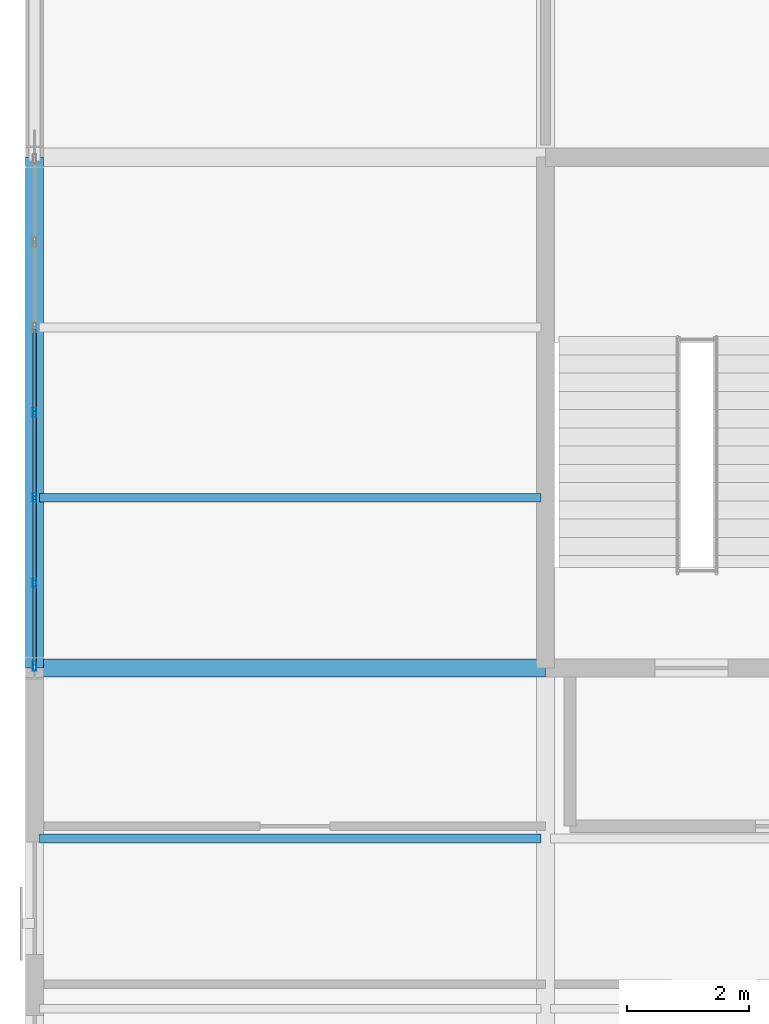
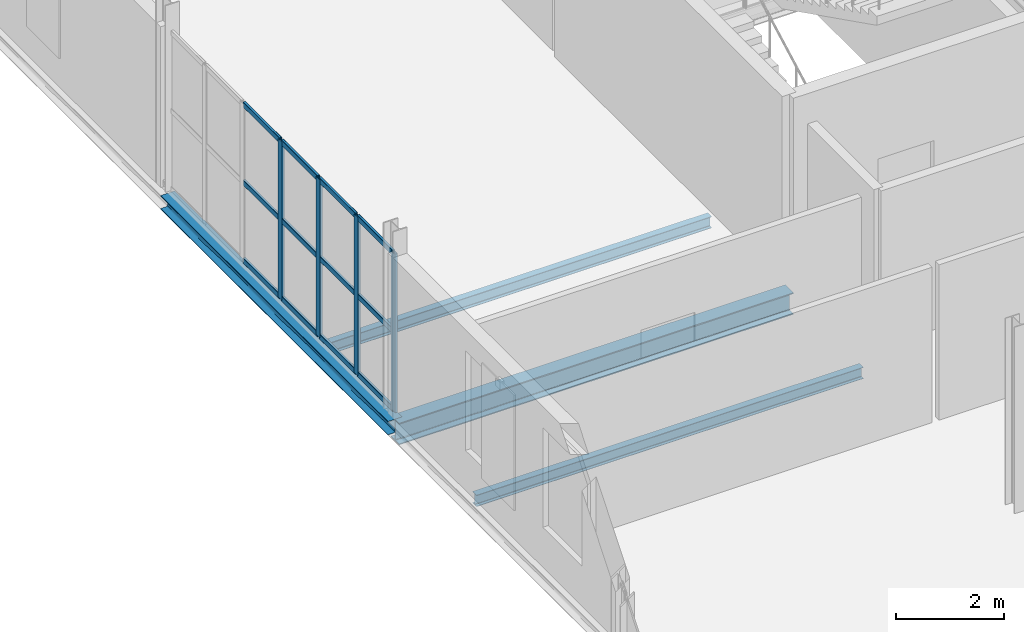
# One storey, part 42 of 163: 16 members, 4 beams, 1 element without a shape of its own.
"""IFC4 building model written with IfcOpenShell, lengths in metres."""

from ifc_helpers import new_model, si_unit, direction, frame, origin, origin_2d, place, context, subcontext, project, spatial, hollow_rectangle, i_section, extrude, material, layer, layer_set, material_profile, profile_set, type_object, element, aggregate, save


model = new_model("IFC4")

# Units and contexts
model_context = context("Model", 3, precision=1e-05, world=origin(), true_north=direction((0.0, 1.0)))
body_context = subcontext(model_context, "Body", "Model", "MODEL_VIEW")
ifc_project = project(units=[si_unit("LENGTHUNIT", "METRE"), si_unit("AREAUNIT", "SQUARE_METRE"), si_unit("VOLUMEUNIT", "CUBIC_METRE"), si_unit("PLANEANGLEUNIT", "RADIAN"), si_unit("MASSUNIT", "GRAM", prefix="KILO")], contexts=[model_context])

# Site, building, storey
site_placement = place(None, origin())
site = spatial("IfcSite", under=ifc_project, at=site_placement, CompositionType="ELEMENT")
building_placement = place(site_placement, origin())
building = spatial("IfcBuilding", under=site, at=building_placement, Name="Qalvenar Corner Mobility Hub", CompositionType="ELEMENT")
storey_placement = place(building_placement, frame((0.0, 0.0, 4.800048828125)))
storey = spatial("IfcBuildingStorey", under=building, at=storey_placement, Name="L01", CompositionType="ELEMENT", Elevation=4.800048828125)

# Beams
ifc_material_1 = material(Name="Steel S355", Category="steel")
ifc_material_profile_1 = material_profile(ifc_material_1, i_section(OverallWidth=0.300048828125, OverallDepth=0.489990234375, WebThickness=0.011962890625, FlangeThickness=0.02294921875, FilletRadius=0.027099609375, at=origin_2d()), Name="HEA500")
ifc_profile_set_1 = profile_set([ifc_material_profile_1], Name="Steel S355")
beam_type_1 = type_object("IfcBeamType", Name="BM-HEA500", PredefinedType="BEAM", material=ifc_profile_set_1)
beam_1_placement = place(storey_placement, frame((0.0, 58.800048828125, -0.425048828125), z_axis=(1.0, 0.0, 0.0), x_axis=(0.0, 1.0, 0.0)))
element("IfcBeam", 1, at=beam_1_placement, inside=storey, type_object=beam_type_1, Name="Primary Steel Girder GX-1160", PredefinedType="BEAM", context=body_context, shape_type="SweptSolid", body=[
    extrude(i_section(OverallWidth=0.300048828125, OverallDepth=0.489990234375, WebThickness=0.011962890625, FlangeThickness=0.02294921875, FilletRadius=0.027099609375, at=origin_2d()), origin(), (0.0, 0.0, 1.0), 8.39990234375),
])
ifc_material_profile_2 = material_profile(ifc_material_1, i_section(OverallWidth=0.14599609375, OverallDepth=0.258056640625, WebThickness=0.006103515625, FlangeThickness=0.009033203125, FilletRadius=0.011962890625, at=origin_2d()), Name="W250x32.7")
ifc_profile_set_2 = profile_set([ifc_material_profile_2], Name="Steel S355")
beam_type_2 = type_object("IfcBeamType", Name="BM-JST250", PredefinedType="JOIST", material=ifc_profile_set_2)
for number, where, z_axis, x_axis, name in (
    (2, (0.077880859375, 56.0, -0.30908203125), (1.0, 0.0, 0.0), (0.0, 1.0, 0.0), "Composite Floor Joist J-1213"),
    (3, (0.077880859375, 61.60009765625, -0.30908203125), (1.0, 0.0, 0.0), (0.0, 1.0, 0.0), "Composite Floor Joist J-1214"),
):
    element("IfcBeam", number, at=place(storey_placement, frame(where, z_axis=z_axis, x_axis=x_axis)), inside=storey, type_object=beam_type_2, Name=name, PredefinedType="JOIST", context=body_context, shape_type="SweptSolid", body=[
        extrude(i_section(OverallWidth=0.14599609375, OverallDepth=0.258056640625, WebThickness=0.006103515625, FlangeThickness=0.009033203125, FilletRadius=0.011962890625, at=origin_2d()), origin(), (0.0, 0.0, 1.0), 8.244140625),
    ])
ifc_material_profile_3 = material_profile(ifc_material_1, i_section(OverallWidth=0.300048828125, OverallDepth=0.31005859375, WebThickness=0.009033203125, FlangeThickness=0.015380859375, FilletRadius=0.027099609375, at=origin_2d()), Name="HEA320")
ifc_profile_set_3 = profile_set([ifc_material_profile_3], Name="Steel S355")
beam_type_3 = type_object("IfcBeamType", Name="BM-SPN320", PredefinedType="SPANDREL", material=ifc_profile_set_3)
beam_2_placement = place(storey_placement, frame((0.0, 58.800048828125, -0.3349609375), z_axis=(0.0, 1.0, 0.0), x_axis=(-1.0, 0.0, 0.0)))
element("IfcBeam", 4, at=beam_2_placement, inside=storey, type_object=beam_type_3, Name="Primary Steel Girder GY-1182", PredefinedType="SPANDREL", context=body_context, shape_type="SweptSolid", body=[
    extrude(i_section(OverallWidth=0.300048828125, OverallDepth=0.31005859375, WebThickness=0.009033203125, FlangeThickness=0.015380859375, FilletRadius=0.027099609375, at=origin_2d()), origin(), (0.0, 0.0, 1.0), 8.39990234375),
])

# Curtain wall, members
ifc_material_2 = material(Name="Anodised Aluminium and Low-E Glazing", Category="aluminium")
ifc_layer = layer(ifc_material_2, 0.14990234375)
ifc_layer_set = layer_set([ifc_layer], Name="Anodised Aluminium and Low-E Glazing")
curtain_wall_type = type_object("IfcCurtainWallType", Name="CW-CYC-84X39", PredefinedType="NOTDEFINED", material=ifc_layer_set)
curtain_wall_placement = place(storey_placement, origin())
curtain_wall = element("IfcCurtainWall", 5, at=curtain_wall_placement, inside=storey, type_object=curtain_wall_type, Name="Glazed Curtain Wall CW-V5-L01-W2", PredefinedType="NOTDEFINED")
ifc_material_3 = material(Name="Anodised Aluminium 6063-T6", Category="aluminium")
ifc_material_profile_4 = material_profile(ifc_material_3, hollow_rectangle(XDim=0.06005859375, YDim=0.14990234375, WallThickness=0.00390625, InnerFilletRadius=0.00390625, OuterFilletRadius=0.008056640625, at=origin_2d()), Name="RHS150x60x4")
ifc_profile_set_4 = profile_set([ifc_material_profile_4], Name="Anodised Aluminium 6063-T6")
member_type_1 = type_object("IfcMemberType", Name="CW-MUL150", PredefinedType="MULLION", material=ifc_profile_set_4)
member_1_placement = place(storey_placement, frame((0.0, 63.0, 0.0), z_axis=(0.0, 0.0, 1.0), x_axis=(1.0, 0.0, 0.0)))
member_1 = element("IfcMember", 6, at=member_1_placement, type_object=member_type_1, Name="CW-08 mullion 4", PredefinedType="MULLION", context=body_context, shape_type="SweptSolid", body=[
    extrude(hollow_rectangle(XDim=0.06005859375, YDim=0.14990234375, WallThickness=0.00390625, InnerFilletRadius=0.00390625, OuterFilletRadius=0.008056640625, at=origin_2d()), origin(), (0.0, 0.0, 1.0), 3.570068359375),
])
member_2_placement = place(storey_placement, frame((0.0, 61.60009765625, 0.0), z_axis=(0.0, 0.0, 1.0), x_axis=(1.0, 0.0, 0.0)))
member_2 = element("IfcMember", 7, at=member_2_placement, type_object=member_type_1, Name="CW-08 mullion 5", PredefinedType="MULLION", context=body_context, shape_type="SweptSolid", body=[
    extrude(hollow_rectangle(XDim=0.06005859375, YDim=0.14990234375, WallThickness=0.00390625, InnerFilletRadius=0.00390625, OuterFilletRadius=0.008056640625, at=origin_2d()), origin(), (0.0, 0.0, 1.0), 3.570068359375),
])
member_3_placement = place(storey_placement, frame((0.0, 60.199951171875, 0.0), z_axis=(0.0, 0.0, 1.0), x_axis=(1.0, 0.0, 0.0)))
member_3 = element("IfcMember", 8, at=member_3_placement, type_object=member_type_1, Name="CW-08 mullion 6", PredefinedType="MULLION", context=body_context, shape_type="SweptSolid", body=[
    extrude(hollow_rectangle(XDim=0.06005859375, YDim=0.14990234375, WallThickness=0.00390625, InnerFilletRadius=0.00390625, OuterFilletRadius=0.008056640625, at=origin_2d()), origin(), (0.0, 0.0, 1.0), 3.570068359375),
])
member_4_placement = place(storey_placement, frame((0.0, 58.830078125, 0.0), z_axis=(0.0, 0.0, 1.0), x_axis=(1.0, 0.0, 0.0)))
member_4 = element("IfcMember", 9, at=member_4_placement, type_object=member_type_1, Name="CW-08 mullion 7", PredefinedType="MULLION", context=body_context, shape_type="SweptSolid", body=[
    extrude(hollow_rectangle(XDim=0.06005859375, YDim=0.14990234375, WallThickness=0.00390625, InnerFilletRadius=0.00390625, OuterFilletRadius=0.008056640625, at=origin_2d()), origin(), (0.0, 0.0, 1.0), 3.570068359375),
])
ifc_material_profile_5 = material_profile(ifc_material_3, hollow_rectangle(XDim=0.054931640625, YDim=0.1201171875, WallThickness=0.00341796875, InnerFilletRadius=0.00341796875, OuterFilletRadius=0.007080078125, at=origin_2d()), Name="RHS120x55x3.5")
ifc_profile_set_5 = profile_set([ifc_material_profile_5], Name="Anodised Aluminium 6063-T6")
member_type_2 = type_object("IfcMemberType", Name="CW-TRN120", PredefinedType="USERDEFINED", material=ifc_profile_set_5)
member_5_placement = place(storey_placement, frame((0.0, 64.3701171875, 0.02734375), z_axis=(0.0, -1.0, 0.0), x_axis=(1.0, 0.0, 0.0)))
member_5 = element("IfcMember", 10, at=member_5_placement, type_object=member_type_2, Name="CW-08 transom 3.1", ObjectType="TRANSOM", PredefinedType="USERDEFINED", context=body_context, shape_type="SweptSolid", body=[
    extrude(hollow_rectangle(XDim=0.054931640625, YDim=0.1201171875, WallThickness=0.00341796875, InnerFilletRadius=0.00341796875, OuterFilletRadius=0.007080078125, at=origin_2d()), origin(), (0.0, 0.0, 1.0), 1.340087890625),
])
member_6_placement = place(storey_placement, frame((0.0, 64.3701171875, 1.784912109375), z_axis=(0.0, -1.0, 0.0), x_axis=(1.0, 0.0, 0.0)))
member_6 = element("IfcMember", 11, at=member_6_placement, type_object=member_type_2, Name="CW-08 transom 3.2", ObjectType="TRANSOM", PredefinedType="USERDEFINED", context=body_context, shape_type="SweptSolid", body=[
    extrude(hollow_rectangle(XDim=0.054931640625, YDim=0.1201171875, WallThickness=0.00341796875, InnerFilletRadius=0.00341796875, OuterFilletRadius=0.007080078125, at=origin_2d()), origin(), (0.0, 0.0, 1.0), 1.340087890625),
])
member_7_placement = place(storey_placement, frame((0.0, 64.3701171875, 3.54248046875), z_axis=(0.0, -1.0, 0.0), x_axis=(1.0, 0.0, 0.0)))
member_7 = element("IfcMember", 12, at=member_7_placement, type_object=member_type_2, Name="CW-08 transom 3.3", ObjectType="TRANSOM", PredefinedType="USERDEFINED", context=body_context, shape_type="SweptSolid", body=[
    extrude(hollow_rectangle(XDim=0.054931640625, YDim=0.1201171875, WallThickness=0.00341796875, InnerFilletRadius=0.00341796875, OuterFilletRadius=0.007080078125, at=origin_2d()), origin(), (0.0, 0.0, 1.0), 1.340087890625),
])
member_8_placement = place(storey_placement, frame((0.0, 62.969970703125, 0.02734375), z_axis=(0.0, -1.0, 0.0), x_axis=(1.0, 0.0, 0.0)))
member_8 = element("IfcMember", 13, at=member_8_placement, type_object=member_type_2, Name="CW-08 transom 4.1", ObjectType="TRANSOM", PredefinedType="USERDEFINED", context=body_context, shape_type="SweptSolid", body=[
    extrude(hollow_rectangle(XDim=0.054931640625, YDim=0.1201171875, WallThickness=0.00341796875, InnerFilletRadius=0.00341796875, OuterFilletRadius=0.007080078125, at=origin_2d()), origin(), (0.0, 0.0, 1.0), 1.340087890625),
])
member_9_placement = place(storey_placement, frame((0.0, 62.969970703125, 1.784912109375), z_axis=(0.0, -1.0, 0.0), x_axis=(1.0, 0.0, 0.0)))
member_9 = element("IfcMember", 14, at=member_9_placement, type_object=member_type_2, Name="CW-08 transom 4.2", ObjectType="TRANSOM", PredefinedType="USERDEFINED", context=body_context, shape_type="SweptSolid", body=[
    extrude(hollow_rectangle(XDim=0.054931640625, YDim=0.1201171875, WallThickness=0.00341796875, InnerFilletRadius=0.00341796875, OuterFilletRadius=0.007080078125, at=origin_2d()), origin(), (0.0, 0.0, 1.0), 1.340087890625),
])
member_10_placement = place(storey_placement, frame((0.0, 62.969970703125, 3.54248046875), z_axis=(0.0, -1.0, 0.0), x_axis=(1.0, 0.0, 0.0)))
member_10 = element("IfcMember", 15, at=member_10_placement, type_object=member_type_2, Name="CW-08 transom 4.3", ObjectType="TRANSOM", PredefinedType="USERDEFINED", context=body_context, shape_type="SweptSolid", body=[
    extrude(hollow_rectangle(XDim=0.054931640625, YDim=0.1201171875, WallThickness=0.00341796875, InnerFilletRadius=0.00341796875, OuterFilletRadius=0.007080078125, at=origin_2d()), origin(), (0.0, 0.0, 1.0), 1.340087890625),
])
member_11_placement = place(storey_placement, frame((0.0, 61.570068359375, 0.02734375), z_axis=(0.0, -1.0, 0.0), x_axis=(1.0, 0.0, 0.0)))
member_11 = element("IfcMember", 16, at=member_11_placement, type_object=member_type_2, Name="CW-08 transom 5.1", ObjectType="TRANSOM", PredefinedType="USERDEFINED", context=body_context, shape_type="SweptSolid", body=[
    extrude(hollow_rectangle(XDim=0.054931640625, YDim=0.1201171875, WallThickness=0.00341796875, InnerFilletRadius=0.00341796875, OuterFilletRadius=0.007080078125, at=origin_2d()), origin(), (0.0, 0.0, 1.0), 1.340087890625),
])
member_12_placement = place(storey_placement, frame((0.0, 61.570068359375, 1.784912109375), z_axis=(0.0, -1.0, 0.0), x_axis=(1.0, 0.0, 0.0)))
member_12 = element("IfcMember", 17, at=member_12_placement, type_object=member_type_2, Name="CW-08 transom 5.2", ObjectType="TRANSOM", PredefinedType="USERDEFINED", context=body_context, shape_type="SweptSolid", body=[
    extrude(hollow_rectangle(XDim=0.054931640625, YDim=0.1201171875, WallThickness=0.00341796875, InnerFilletRadius=0.00341796875, OuterFilletRadius=0.007080078125, at=origin_2d()), origin(), (0.0, 0.0, 1.0), 1.340087890625),
])
member_13_placement = place(storey_placement, frame((0.0, 61.570068359375, 3.54248046875), z_axis=(0.0, -1.0, 0.0), x_axis=(1.0, 0.0, 0.0)))
member_13 = element("IfcMember", 18, at=member_13_placement, type_object=member_type_2, Name="CW-08 transom 5.3", ObjectType="TRANSOM", PredefinedType="USERDEFINED", context=body_context, shape_type="SweptSolid", body=[
    extrude(hollow_rectangle(XDim=0.054931640625, YDim=0.1201171875, WallThickness=0.00341796875, InnerFilletRadius=0.00341796875, OuterFilletRadius=0.007080078125, at=origin_2d()), origin(), (0.0, 0.0, 1.0), 1.340087890625),
])
member_14_placement = place(storey_placement, frame((0.0, 60.169921875, 0.02734375), z_axis=(0.0, -1.0, 0.0), x_axis=(1.0, 0.0, 0.0)))
member_14 = element("IfcMember", 19, at=member_14_placement, type_object=member_type_2, Name="CW-08 transom 6.1", ObjectType="TRANSOM", PredefinedType="USERDEFINED", context=body_context, shape_type="SweptSolid", body=[
    extrude(hollow_rectangle(XDim=0.054931640625, YDim=0.1201171875, WallThickness=0.00341796875, InnerFilletRadius=0.00341796875, OuterFilletRadius=0.007080078125, at=origin_2d()), origin(), (0.0, 0.0, 1.0), 1.309814453125),
])
member_15_placement = place(storey_placement, frame((0.0, 60.169921875, 1.784912109375), z_axis=(0.0, -1.0, 0.0), x_axis=(1.0, 0.0, 0.0)))
member_15 = element("IfcMember", 20, at=member_15_placement, type_object=member_type_2, Name="CW-08 transom 6.2", ObjectType="TRANSOM", PredefinedType="USERDEFINED", context=body_context, shape_type="SweptSolid", body=[
    extrude(hollow_rectangle(XDim=0.054931640625, YDim=0.1201171875, WallThickness=0.00341796875, InnerFilletRadius=0.00341796875, OuterFilletRadius=0.007080078125, at=origin_2d()), origin(), (0.0, 0.0, 1.0), 1.309814453125),
])
member_16_placement = place(storey_placement, frame((0.0, 60.169921875, 3.54248046875), z_axis=(0.0, -1.0, 0.0), x_axis=(1.0, 0.0, 0.0)))
member_16 = element("IfcMember", 21, at=member_16_placement, type_object=member_type_2, Name="CW-08 transom 6.3", ObjectType="TRANSOM", PredefinedType="USERDEFINED", context=body_context, shape_type="SweptSolid", body=[
    extrude(hollow_rectangle(XDim=0.054931640625, YDim=0.1201171875, WallThickness=0.00341796875, InnerFilletRadius=0.00341796875, OuterFilletRadius=0.007080078125, at=origin_2d()), origin(), (0.0, 0.0, 1.0), 1.309814453125),
])
aggregate(curtain_wall, [member_1, member_2, member_3, member_4, member_5, member_6, member_7, member_8, member_9, member_10, member_11, member_12, member_13, member_14, member_15, member_16])

save(model, "model.ifc")
